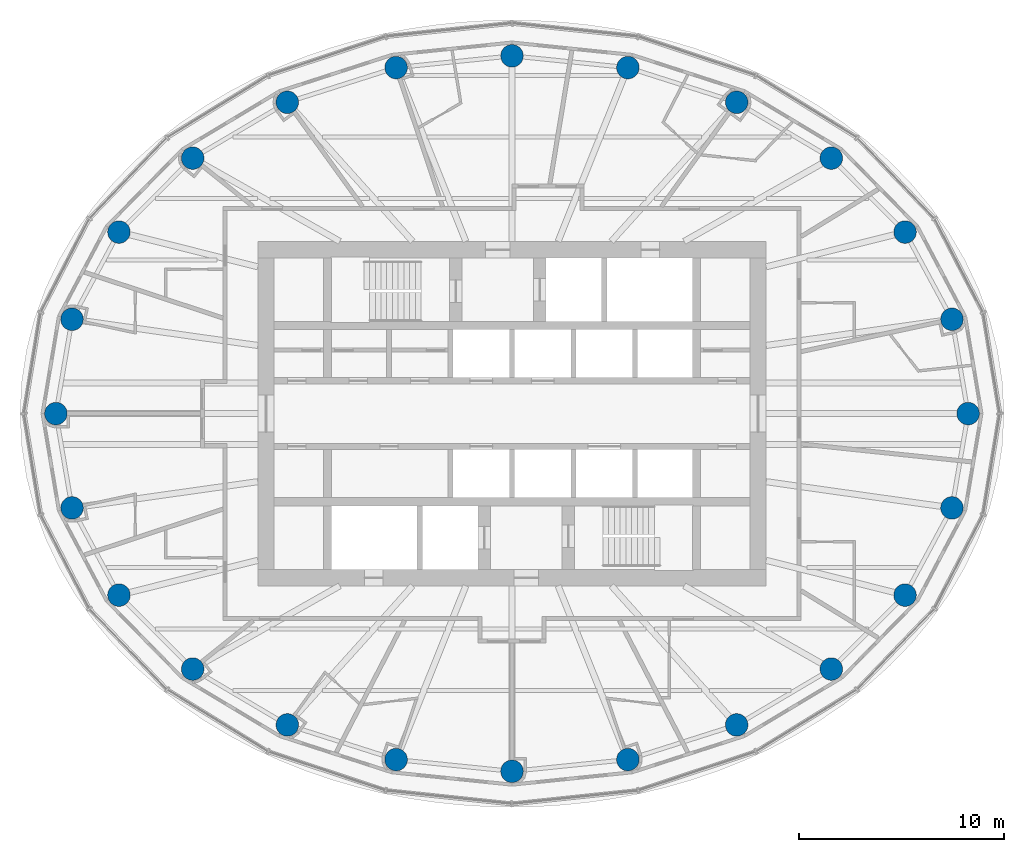
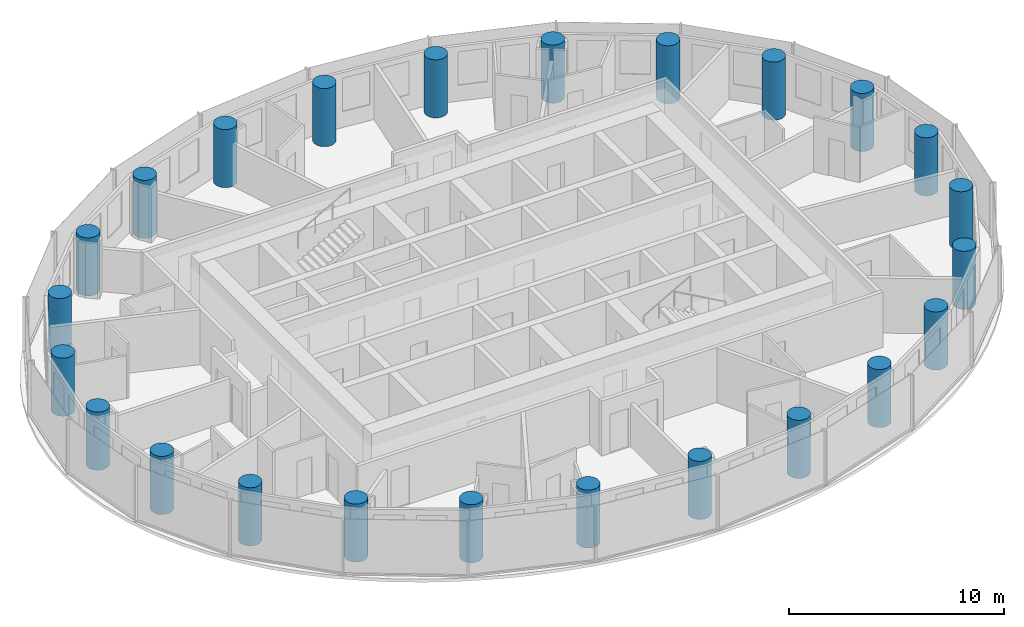
# One storey, part 1 of 13: 24 columns.
"""IFC4 building model written with IfcOpenShell, lengths in metres."""

from ifc_helpers import new_model, si_unit, direction, frame, origin, origin_2d, place, context, subcontext, project, spatial, circle, extrude, material, material_profile, profile_set, type_object, element, save


model = new_model("IFC4")

# Units and contexts
model_context = context("Model", 3, precision=1e-05, world=origin(), true_north=direction((0.0, 1.0)))
body_context = subcontext(model_context, "Body", "Model", "MODEL_VIEW")
ifc_project = project(units=[si_unit("LENGTHUNIT", "METRE"), si_unit("AREAUNIT", "SQUARE_METRE"), si_unit("VOLUMEUNIT", "CUBIC_METRE"), si_unit("PLANEANGLEUNIT", "RADIAN"), si_unit("MASSUNIT", "GRAM", prefix="KILO")], contexts=[model_context])

# Site, building, storey
site_placement = place(None, origin())
site = spatial("IfcSite", under=ifc_project, at=site_placement, CompositionType="ELEMENT")
building_placement = place(site_placement, origin())
building = spatial("IfcBuilding", under=site, at=building_placement, Name="Hankou Lantern Tower", CompositionType="ELEMENT")
storey_placement = place(building_placement, frame((0.0, 0.0, 159.89990234375)))
storey = spatial("IfcBuildingStorey", under=building, at=storey_placement, Name="L42", CompositionType="ELEMENT", Elevation=159.89990234375)

# Columns
ifc_material = material(Name="Concrete C50", Category="concrete")
ifc_material_profile = material_profile(ifc_material, circle(Radius=0.550048828125, at=origin_2d()), Name="RC D1100")
ifc_profile_set = profile_set([ifc_material_profile], Name="Concrete C50")
column_type = type_object("IfcColumnType", Name="TC4 PERIMETER COLUMN RC D1100", PredefinedType="COLUMN", material=ifc_profile_set)
for number, where, z_axis, x_axis, name in (
    (1, (22.25, 0.0, 0.0), (0.0, 0.0, 1.0), (1.0, 0.0, 0.0), "Column R01 L42"),
    (2, (21.462646484375, 4.600830078125, 0.0), (0.0, 0.0, 1.0), (1.0, 0.0, 0.0), "Column R02 L42"),
    (3, (19.172119140625, 8.855224609375, 0.0), (0.0, 0.0, 1.0), (1.0, 0.0, 0.0), "Column R03 L42"),
    (4, (15.576171875, 12.4609375, 0.0), (0.0, 0.0, 1.0), (1.0, 0.0, 0.0), "Column R04 L42"),
    (5, (10.959716796875, 15.186279296875, 0.0), (0.0, 0.0, 1.0), (1.0, 0.0, 0.0), "Column R05 L42"),
    (6, (5.65283203125, 16.87744140625, 0.0), (0.0, 0.0, 1.0), (1.0, 0.0, 0.0), "Column R06 L42"),
    (7, (0.0, 17.449951171875, 0.0), (0.0, 0.0, 1.0), (1.0, 0.0, 0.0), "Column R07 L42"),
    (8, (-5.65283203125, 16.87744140625, 0.0), (0.0, 0.0, 1.0), (1.0, 0.0, 0.0), "Column R08 L42"),
    (9, (-10.959716796875, 15.186279296875, 0.0), (0.0, 0.0, 1.0), (1.0, 0.0, 0.0), "Column R09 L42"),
    (10, (-15.576171875, 12.4609375, 0.0), (0.0, 0.0, 1.0), (1.0, 0.0, 0.0), "Column R10 L42"),
    (11, (-19.172119140625, 8.855224609375, 0.0), (0.0, 0.0, 1.0), (1.0, 0.0, 0.0), "Column R11 L42"),
    (12, (-21.462646484375, 4.600830078125, 0.0), (0.0, 0.0, 1.0), (1.0, 0.0, 0.0), "Column R12 L42"),
    (13, (-22.25, 0.0, 0.0), (0.0, 0.0, 1.0), (1.0, 0.0, 0.0), "Column R13 L42"),
    (14, (-21.462646484375, -4.600830078125, 0.0), (0.0, 0.0, 1.0), (1.0, 0.0, 0.0), "Column R14 L42"),
    (15, (-19.172119140625, -8.855224609375, 0.0), (0.0, 0.0, 1.0), (1.0, 0.0, 0.0), "Column R15 L42"),
    (16, (-15.576171875, -12.4609375, 0.0), (0.0, 0.0, 1.0), (1.0, 0.0, 0.0), "Column R16 L42"),
    (17, (-10.959716796875, -15.186279296875, 0.0), (0.0, 0.0, 1.0), (1.0, 0.0, 0.0), "Column R17 L42"),
    (18, (-5.65283203125, -16.87744140625, 0.0), (0.0, 0.0, 1.0), (1.0, 0.0, 0.0), "Column R18 L42"),
    (19, (0.0, -17.449951171875, 0.0), (0.0, 0.0, 1.0), (1.0, 0.0, 0.0), "Column R19 L42"),
    (20, (5.65283203125, -16.87744140625, 0.0), (0.0, 0.0, 1.0), (1.0, 0.0, 0.0), "Column R20 L42"),
    (21, (10.959716796875, -15.186279296875, 0.0), (0.0, 0.0, 1.0), (1.0, 0.0, 0.0), "Column R21 L42"),
    (22, (15.576171875, -12.4609375, 0.0), (0.0, 0.0, 1.0), (1.0, 0.0, 0.0), "Column R22 L42"),
    (23, (19.172119140625, -8.855224609375, 0.0), (0.0, 0.0, 1.0), (1.0, 0.0, 0.0), "Column R23 L42"),
    (24, (21.462646484375, -4.600830078125, 0.0), (0.0, 0.0, 1.0), (1.0, 0.0, 0.0), "Column R24 L42"),
):
    element("IfcColumn", number, at=place(storey_placement, frame(where, z_axis=z_axis, x_axis=x_axis)), inside=storey, type_object=column_type, Name=name, PredefinedType="COLUMN", context=body_context, shape_type="SweptSolid", body=[
        extrude(circle(Radius=0.550048828125, at=origin_2d()), origin(), (0.0, 0.0, 1.0), 3.300048828125),
    ])

save(model, "model.ifc")
